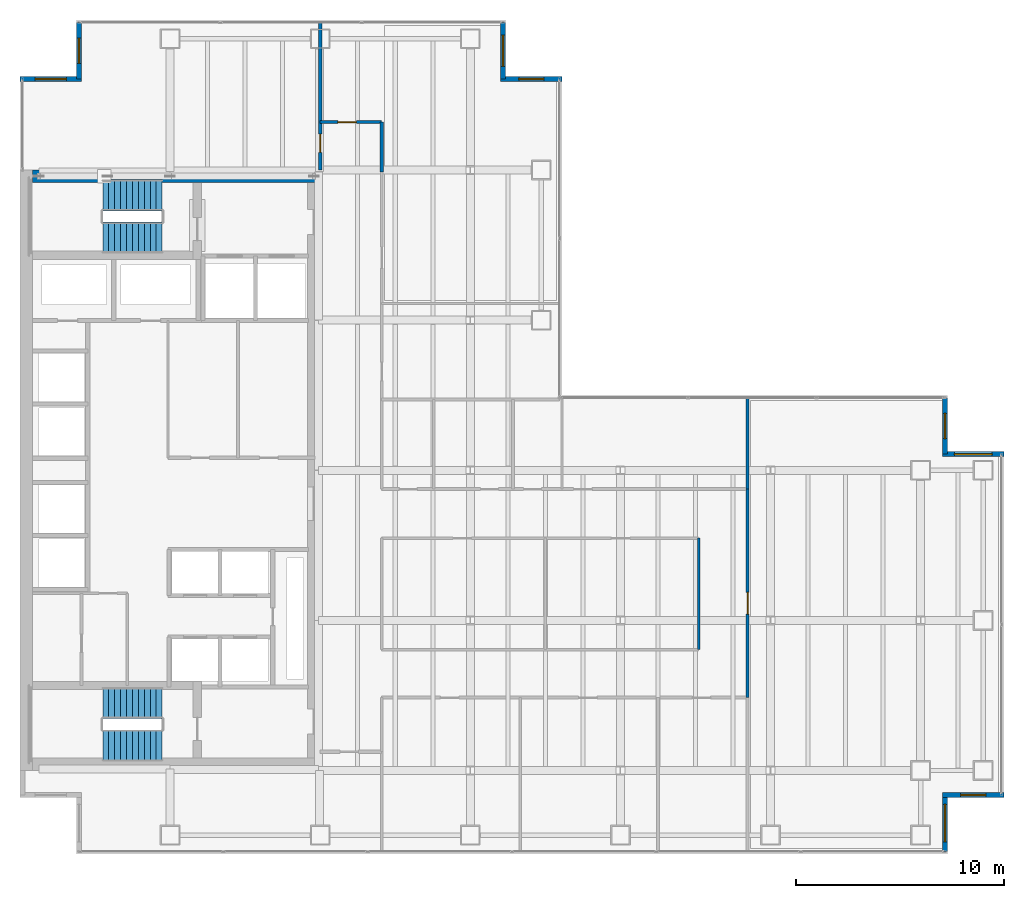
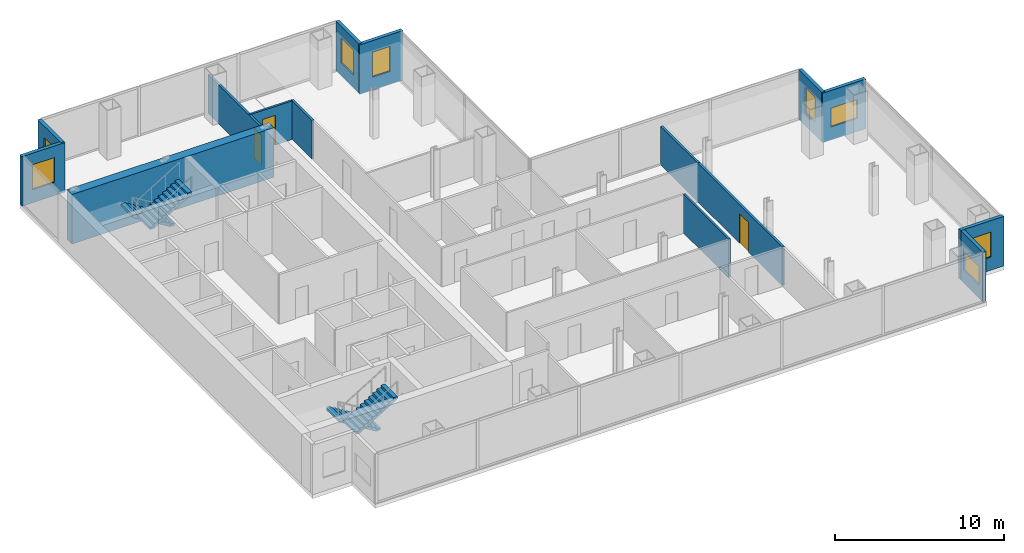
# One storey, part 22 of 24: 15 walls, 8 windows, 4 stair flights, 3 doors, 11 openings, 2 elements without a shape of their own.
"""IFC4 building model written with IfcOpenShell, lengths in metres."""

import ifcopenshell
import ifcopenshell.guid

model = None  # the IFC model being written
_history = None  # IfcOwnerHistory: only IFC2X3 demands one
_inside = {}  # id of a spatial element -> (the spatial element, [elements in it])
_under = {}  # id of a project, library or spatial element -> (it, [spatial elements below it])
_declared = {}  # id of a project -> (the project, [libraries it declares])
_typed = {}  # id of a type object -> (the type object, [elements of that type])
_made_of = {}  # id of a material, layer set ... -> (it, [elements and type objects made of it])


def new_model(schema):
    """Start an empty IFC model of exactly this schema.

    Asked for "IFC4X3", IfcOpenShell would pick the latest addendum, in which some entities
    have other attributes; the version numbers below select the first issue.
    IFC2X3 requires an IfcOwnerHistory on every rooted entity: one is made here for all.
    """
    global model, _history
    if schema == "IFC4X3":
        model = ifcopenshell.file(schema_version=(4, 3, 0, 0))
    else:
        model = ifcopenshell.file(schema=schema)
    _inside.clear()
    _under.clear()
    _declared.clear()
    _typed.clear()
    _made_of.clear()
    _history = None
    if model.schema == "IFC2X3":
        org = make("IfcOrganization", Name="unknown")
        user = make(
            "IfcPersonAndOrganization",
            ThePerson=make("IfcPerson", FamilyName="unknown"),
            TheOrganization=org,
        )
        app = make(
            "IfcApplication",
            ApplicationDeveloper=org,
            Version="unknown",
            ApplicationFullName="unknown",
            ApplicationIdentifier="unknown",
        )
        _history = make(
            "IfcOwnerHistory",
            OwningUser=user,
            OwningApplication=app,
            ChangeAction="ADDED",
            CreationDate=0,
        )
    return model


def make(cls, **values):
    """One entity of the class cls with the attributes given. An attribute that is None is left unset."""
    return model.create_entity(
        cls, **{name: value for name, value in values.items() if value is not None}
    )


def rooted(cls, **values):
    """An entity with a GlobalId (a new one), such as an element, a storey or a relation."""
    return make(cls, GlobalId=ifcopenshell.guid.new(), OwnerHistory=_history, **values)


def si_unit(unit_type, name, prefix=None):
    """IfcSIUnit, for example si_unit("LENGTHUNIT", "METRE", prefix="MILLI")."""
    return make("IfcSIUnit", UnitType=unit_type, Prefix=prefix, Name=name)


def assignment(units):
    """IfcUnitAssignment: the units of a project."""
    return None if units is None else make("IfcUnitAssignment", Units=units)


def point(xyz):
    """IfcCartesianPoint."""
    return None if xyz is None else make("IfcCartesianPoint", Coordinates=xyz)


def direction(xyz):
    """IfcDirection."""
    return None if xyz is None else make("IfcDirection", DirectionRatios=xyz)


def frame(location, z_axis=None, x_axis=None):
    """IfcAxis2Placement3D, a coordinate frame: its origin and axes. An axis left out is left unset."""
    return make(
        "IfcAxis2Placement3D",
        Location=point(location),
        Axis=direction(z_axis),
        RefDirection=direction(x_axis),
    )


def frame_2d(location, x_axis=None):
    """IfcAxis2Placement2D, a coordinate frame in the plane: its origin and x axis."""
    return make(
        "IfcAxis2Placement2D", Location=point(location), RefDirection=direction(x_axis)
    )


def origin():
    """The frame at (0, 0, 0) with its axes left unset."""
    return frame((0.0, 0.0, 0.0))


def place(relative_to, where):
    """IfcLocalPlacement: puts the frame where relative to a parent placement (None: the world)."""
    return make(
        "IfcLocalPlacement", PlacementRelTo=relative_to, RelativePlacement=where
    )


def context(
    kind, dimensions, precision=None, world=None, true_north=None, identifier=None
):
    """IfcGeometricRepresentationContext, for example the 3D "Model" context."""
    return make(
        "IfcGeometricRepresentationContext",
        ContextIdentifier=identifier,
        ContextType=kind,
        CoordinateSpaceDimension=dimensions,
        Precision=precision,
        WorldCoordinateSystem=world,
        TrueNorth=true_north,
    )


def subcontext(parent, identifier, kind, view, scale=None):
    """IfcGeometricRepresentationSubContext, for example "Body" below "Model"."""
    return make(
        "IfcGeometricRepresentationSubContext",
        ContextIdentifier=identifier,
        ContextType=kind,
        ParentContext=parent,
        TargetScale=scale,
        TargetView=view,
    )


def project(units=None, contexts=None):
    """IfcProject with its units and contexts."""
    return rooted(
        "IfcProject",
        Name="project",
        RepresentationContexts=contexts,
        UnitsInContext=assignment(units),
    )


def spatial(cls, under=None, at=None, **own):
    """A site, building, storey or space (cls), placed at a placement, below another one or the project."""
    s = rooted(cls, ObjectPlacement=at, **own)
    if under is not None:
        _under.setdefault(under.id(), (under, []))[1].append(s)
    return s


def polyline(points):
    """IfcPolyline through the points."""
    return make("IfcPolyline", Points=[point(p) for p in points])


def profile(cls, at=None, kind="AREA", **sizes):
    """A parametric profile (cls). Its sizes go by their IFC names, for example OverallWidth=200.0."""
    return make(cls, ProfileType=kind, Position=at, **sizes)


def rectangle(**sizes):
    """IfcRectangleProfileDef."""
    return profile("IfcRectangleProfileDef", **sizes)


def outline(outer, holes=None, kind="AREA"):
    """IfcArbitraryClosedProfileDef: a profile drawn as a closed curve; with holes, ...WithVoids."""
    if holes is None:
        return make("IfcArbitraryClosedProfileDef", ProfileType=kind, OuterCurve=outer)
    return make(
        "IfcArbitraryProfileDefWithVoids",
        ProfileType=kind,
        OuterCurve=outer,
        InnerCurves=holes,
    )


def extrude(swept, where, along, depth):
    """IfcExtrudedAreaSolid: the profile swept, set in the frame where, extruded along a direction by depth."""
    return make(
        "IfcExtrudedAreaSolid",
        SweptArea=swept,
        Position=where,
        ExtrudedDirection=direction(along),
        Depth=depth,
    )


def shape(context_of_items, identifier, shape_type, items):
    """IfcShapeRepresentation: the items that make up one representation, for example the "Body"."""
    return make(
        "IfcShapeRepresentation",
        ContextOfItems=context_of_items,
        RepresentationIdentifier=identifier,
        RepresentationType=shape_type,
        Items=items,
    )


def material(Name=None, Category=None):
    """IfcMaterial."""
    return make("IfcMaterial", Name=Name, Category=Category)


def layer(
    of_material, thickness, ventilated=None, Name=None, Category=None, Priority=None
):
    """IfcMaterialLayer: one layer of a wall or slab, of a material (None: an air gap)."""
    return make(
        "IfcMaterialLayer",
        Material=of_material,
        LayerThickness=thickness,
        IsVentilated=ventilated,
        Name=Name,
        Category=Category,
        Priority=Priority,
    )


def layer_set(layers, Name=None):
    """IfcMaterialLayerSet."""
    return make("IfcMaterialLayerSet", MaterialLayers=layers, LayerSetName=Name)


def made_of(thing, what):
    """Note that an element or type object is made of a material, layer set ...; save() writes the relation."""
    if what is not None:
        _made_of.setdefault(what.id(), (what, []))[1].append(thing)
    return thing


def type_object(cls, material=None, **own):
    """A type object (cls), such as IfcWallType, which elements share."""
    return made_of(rooted(cls, **own), material)


def element(
    cls,
    number,
    at=None,
    inside=None,
    cuts=None,
    type_object=None,
    material=None,
    context=None,
    identifier="Body",
    shape_type=None,
    held_by="IfcProductDefinitionShape",
    body=None,
    shapes=None,
    **own,
):
    """One element of the class cls, such as IfcWall. Its Tag is "e" and its number.

    at: its placement. inside: the storey or other place that contains it. cuts: it is an
    opening in that element (IfcRelVoidsElement). A single representation is given by context,
    identifier, shape_type and body (its items); several are given by shapes. held_by: the class
    of the entity that holds the representations. save() writes the other relations.
    """
    e = rooted(cls, Tag="e%d" % number, ObjectPlacement=at, **own)
    if body is not None:
        shapes = [shape(context, identifier, shape_type, body)]
    if shapes is not None:
        e.Representation = make(held_by, Representations=shapes)
    if inside is not None:
        _inside.setdefault(inside.id(), (inside, []))[1].append(e)
    if cuts is not None:
        rooted(
            "IfcRelVoidsElement", RelatingBuildingElement=cuts, RelatedOpeningElement=e
        )
    if type_object is not None:
        _typed.setdefault(type_object.id(), (type_object, []))[1].append(e)
    return made_of(e, material)


def fill(opening, filler):
    """IfcRelFillsElement: the door or window that sits in an opening."""
    return rooted(
        "IfcRelFillsElement",
        RelatingOpeningElement=opening,
        RelatedBuildingElement=filler,
    )


def aggregate(whole, parts):
    """IfcRelAggregates: a whole, such as a stair, and the parts it consists of."""
    return rooted("IfcRelAggregates", RelatingObject=whole, RelatedObjects=parts)


def save(model, path):
    """Write the relations noted so far, then the file.

    IfcRelAggregates (storeys below a building ...), IfcRelContainedInSpatialStructure (elements
    in a storey), IfcRelDefinesByType, IfcRelAssociatesMaterial and IfcRelDeclares: one each for
    every whole, place, type object, material and project.
    """
    for whole, parts in _under.values():
        aggregate(whole, parts)
    for where, things in _inside.values():
        rooted(
            "IfcRelContainedInSpatialStructure",
            RelatedElements=things,
            RelatingStructure=where,
        )
    for kind, things in _typed.values():
        rooted("IfcRelDefinesByType", RelatedObjects=things, RelatingType=kind)
    for what, things in _made_of.values():
        rooted("IfcRelAssociatesMaterial", RelatedObjects=things, RelatingMaterial=what)
    for by, libraries in _declared.values():
        rooted("IfcRelDeclares", RelatingContext=by, RelatedDefinitions=libraries)
    model.write(path)


model = new_model("IFC4")

# Units and contexts
model_context = context("Model", 3, precision=1e-05, world=origin(), true_north=direction((0.0, 1.0)))
body_context = subcontext(model_context, "Body", "Model", "MODEL_VIEW")
ifc_project = project(units=[si_unit("LENGTHUNIT", "METRE"), si_unit("AREAUNIT", "SQUARE_METRE"), si_unit("VOLUMEUNIT", "CUBIC_METRE"), si_unit("PLANEANGLEUNIT", "RADIAN"), si_unit("MASSUNIT", "GRAM", prefix="KILO")], contexts=[model_context])

# Site, building, storey
site_placement = place(None, origin())
site = spatial("IfcSite", under=ifc_project, at=site_placement, CompositionType="ELEMENT")
building_placement = place(site_placement, origin())
building = spatial("IfcBuilding", under=site, at=building_placement, Name="Cobrela Telecom Tower", CompositionType="ELEMENT")
storey_placement = place(building_placement, frame((0.0, 0.0, 106.050048828125)))
storey = spatial("IfcBuildingStorey", under=building, at=storey_placement, Name="L26", CompositionType="ELEMENT", Elevation=106.050048828125)

# Wall
ifc_material_1 = material(Name="Concrete C50/60", Category="concrete")
ifc_layer_1 = layer(ifc_material_1, 0.60009765625)
ifc_layer_set_1 = layer_set([ifc_layer_1], Name="Concrete C50/60")
wall_type_1 = type_object("IfcWallType", Name="WALL-CORE-C50-600", PredefinedType="SHEAR", material=ifc_layer_set_1)
wall_1_placement = place(storey_placement, frame((0.60009765625, 35.699951171875, 0.0), z_axis=(0.0, 0.0, 1.0), x_axis=(1.0, 0.0, 0.0)))
element("IfcWall", 1, at=wall_1_placement, inside=storey, type_object=wall_type_1, Name="L26 North Core Shear Wall", PredefinedType="SHEAR", context=body_context, shape_type="SweptSolid", body=[
    extrude(rectangle(XDim=13.7998046875, YDim=0.60009765625, at=frame_2d((6.89990234375, 0.0))), origin(), (0.0, 0.0, 1.0), 3.579833984375),
])

# Wall, opening, window
ifc_material_2 = material(Name="Concrete C40/50", Category="concrete")
ifc_layer_2 = layer(ifc_material_2, 0.239990234375)
ifc_layer_set_2 = layer_set([ifc_layer_2], Name="Concrete C40/50")
wall_type_2 = type_object("IfcWallType", Name="WALL-EXT-300", PredefinedType="STANDARD", material=ifc_layer_set_2)
wall_2_placement = place(storey_placement, frame((0.0, 40.3701171875, 0.0), z_axis=(0.0, 0.0, 1.0), x_axis=(1.0, 0.0, 0.0)))
wall_2 = element("IfcWall", 2, at=wall_2_placement, inside=storey, type_object=wall_type_2, Name="L26 Insulated Facade Wall 05", PredefinedType="STANDARD", context=body_context, shape_type="SweptSolid", body=[
    extrude(rectangle(XDim=2.949951171875, YDim=0.239990234375, at=frame_2d((1.47509765625, 0.0))), origin(), (0.0, 0.0, 1.0), 3.579833984375),
])
opening_1_placement = place(wall_2_placement, frame((0.72509765625, 0.0, 0.949951171875)))
opening_1 = element("IfcOpeningElement", 3, at=opening_1_placement, cuts=wall_2, Name="Opening WN-45", PredefinedType="OPENING", context=body_context, shape_type="SweptSolid", body=[
    extrude(rectangle(XDim=1.5, YDim=1.800048828125, at=frame_2d((0.75, 0.89990234375))), frame((0.0, 0.1318359375, 0.0), z_axis=(0.0, -1.0, 0.0), x_axis=(1.0, 0.0, 0.0)), (0.0, 0.0, 1.0), 0.263916015625),
])
ifc_material_3 = material(Name="Solar-Control Bronze Low-E Glass", Category="glass")
window_type_1 = type_object("IfcWindowType", Name="WIN-MOD-1500", PartitioningType="SINGLE_PANEL", PredefinedType="WINDOW", material=ifc_material_3)
window_1_placement = place(opening_1_placement, origin())
window_1 = element("IfcWindow", 4, at=window_1_placement, inside=storey, type_object=window_type_1, Name="L26 Corner Notch Facade Window 122", OverallHeight=1.800048828125, OverallWidth=1.5, PartitioningType="SINGLE_PANEL", PredefinedType="WINDOW", context=body_context, shape_type="SweptSolid", body=[
    extrude(rectangle(XDim=1.5, YDim=1.800048828125, at=frame_2d((0.75, 0.89990234375))), frame((0.0, 0.030029296875, 0.0), z_axis=(0.0, -1.0, 0.0), x_axis=(1.0, 0.0, 0.0)), (0.0, 0.0, 1.0), 0.06005859375),
])
fill(opening_1, window_1)

wall_3_placement = place(storey_placement, frame((2.830078125, 40.3701171875, 0.0), z_axis=(0.0, 0.0, 1.0), x_axis=(0.0, 1.0, 0.0)))
wall_3 = element("IfcWall", 5, at=wall_3_placement, inside=storey, type_object=wall_type_2, Name="L26 Insulated Facade Wall 06", PredefinedType="STANDARD", context=body_context, shape_type="SweptSolid", body=[
    extrude(rectangle(XDim=2.7099609375, YDim=0.239990234375, at=frame_2d((1.35498046875, 0.0))), origin(), (0.0, 0.0, 1.0), 3.579833984375),
])
opening_2_placement = place(wall_3_placement, frame((0.7548828125, 0.0, 0.949951171875)))
opening_2 = element("IfcOpeningElement", 6, at=opening_2_placement, cuts=wall_3, Name="Opening WN-19", PredefinedType="OPENING", context=body_context, shape_type="SweptSolid", body=[
    extrude(rectangle(XDim=1.199951171875, YDim=1.800048828125, at=frame_2d((0.60009765625, 0.89990234375))), frame((0.0, 0.1318359375, 0.0), z_axis=(0.0, -1.0, 0.0), x_axis=(1.0, 0.0, 0.0)), (0.0, 0.0, 1.0), 0.263916015625),
])
window_type_2 = type_object("IfcWindowType", Name="WIN-MOD-1200", PartitioningType="SINGLE_PANEL", PredefinedType="WINDOW", material=ifc_material_3)
window_2_placement = place(opening_2_placement, origin())
window_2 = element("IfcWindow", 7, at=window_2_placement, inside=storey, type_object=window_type_2, Name="L26 Corner Notch Facade Window 123", OverallHeight=1.800048828125, OverallWidth=1.199951171875, PartitioningType="SINGLE_PANEL", PredefinedType="WINDOW", context=body_context, shape_type="SweptSolid", body=[
    extrude(rectangle(XDim=1.199951171875, YDim=1.800048828125, at=frame_2d((0.60009765625, 0.89990234375))), frame((0.0, 0.030029296875, 0.0), z_axis=(0.0, -1.0, 0.0), x_axis=(1.0, 0.0, 0.0)), (0.0, 0.0, 1.0), 0.06005859375),
])
fill(opening_2, window_2)

wall_4_placement = place(storey_placement, frame((23.169921875, 43.080078125, 0.0), z_axis=(0.0, 0.0, 1.0), x_axis=(0.0, -1.0, 0.0)))
wall_4 = element("IfcWall", 8, at=wall_4_placement, inside=storey, type_object=wall_type_2, Name="L26 Insulated Facade Wall 08", PredefinedType="STANDARD", context=body_context, shape_type="SweptSolid", body=[
    extrude(rectangle(XDim=2.7099609375, YDim=0.239990234375, at=frame_2d((1.35498046875, 0.0))), origin(), (0.0, 0.0, 1.0), 3.579833984375),
])
opening_3_placement = place(wall_4_placement, frame((0.60498046875, 0.0, 0.949951171875)))
opening_3 = element("IfcOpeningElement", 9, at=opening_3_placement, cuts=wall_4, Name="Opening WN-45", PredefinedType="OPENING", context=body_context, shape_type="SweptSolid", body=[
    extrude(rectangle(XDim=1.5, YDim=1.800048828125, at=frame_2d((0.75, 0.89990234375))), frame((0.0, 0.1318359375, 0.0), z_axis=(0.0, -1.0, 0.0), x_axis=(1.0, 0.0, 0.0)), (0.0, 0.0, 1.0), 0.263916015625),
])
window_3_placement = place(opening_3_placement, origin())
window_3 = element("IfcWindow", 10, at=window_3_placement, inside=storey, type_object=window_type_1, Name="L26 Corner Notch Facade Window 124", OverallHeight=1.800048828125, OverallWidth=1.5, PartitioningType="SINGLE_PANEL", PredefinedType="WINDOW", context=body_context, shape_type="SweptSolid", body=[
    extrude(rectangle(XDim=1.5, YDim=1.800048828125, at=frame_2d((0.75, 0.89990234375))), frame((0.0, 0.030029296875, 0.0), z_axis=(0.0, -1.0, 0.0), x_axis=(1.0, 0.0, 0.0)), (0.0, 0.0, 1.0), 0.06005859375),
])
fill(opening_3, window_3)

wall_5_placement = place(storey_placement, frame((23.050048828125, 40.3701171875, 0.0), z_axis=(0.0, 0.0, 1.0), x_axis=(1.0, 0.0, 0.0)))
wall_5 = element("IfcWall", 11, at=wall_5_placement, inside=storey, type_object=wall_type_2, Name="L26 Insulated Facade Wall 09", PredefinedType="STANDARD", context=body_context, shape_type="SweptSolid", body=[
    extrude(rectangle(XDim=2.949951171875, YDim=0.239990234375, at=frame_2d((1.47509765625, 0.0))), origin(), (0.0, 0.0, 1.0), 3.579833984375),
])
opening_4_placement = place(wall_5_placement, frame((0.875, 0.0, 0.949951171875)))
opening_4 = element("IfcOpeningElement", 12, at=opening_4_placement, cuts=wall_5, Name="Opening WN-19", PredefinedType="OPENING", context=body_context, shape_type="SweptSolid", body=[
    extrude(rectangle(XDim=1.199951171875, YDim=1.800048828125, at=frame_2d((0.60009765625, 0.89990234375))), frame((0.0, 0.1318359375, 0.0), z_axis=(0.0, -1.0, 0.0), x_axis=(1.0, 0.0, 0.0)), (0.0, 0.0, 1.0), 0.263916015625),
])
window_4_placement = place(opening_4_placement, origin())
window_4 = element("IfcWindow", 13, at=window_4_placement, inside=storey, type_object=window_type_2, Name="L26 Corner Notch Facade Window 125", OverallHeight=1.800048828125, OverallWidth=1.199951171875, PartitioningType="SINGLE_PANEL", PredefinedType="WINDOW", context=body_context, shape_type="SweptSolid", body=[
    extrude(rectangle(XDim=1.199951171875, YDim=1.800048828125, at=frame_2d((0.60009765625, 0.89990234375))), frame((0.0, 0.030029296875, 0.0), z_axis=(0.0, -1.0, 0.0), x_axis=(1.0, 0.0, 0.0)), (0.0, 0.0, 1.0), 0.06005859375),
])
fill(opening_4, window_4)

wall_6_placement = place(storey_placement, frame((44.3701171875, 25.080078125, 0.0), z_axis=(0.0, 0.0, 1.0), x_axis=(0.0, -1.0, 0.0)))
wall_6 = element("IfcWall", 14, at=wall_6_placement, inside=storey, type_object=wall_type_2, Name="L26 Insulated Facade Wall 12", PredefinedType="STANDARD", context=body_context, shape_type="SweptSolid", body=[
    extrude(rectangle(XDim=2.7099609375, YDim=0.239990234375, at=frame_2d((1.35498046875, 0.0))), origin(), (0.0, 0.0, 1.0), 3.579833984375),
])
opening_5_placement = place(wall_6_placement, frame((0.7548828125, 0.0, 0.949951171875)))
opening_5 = element("IfcOpeningElement", 15, at=opening_5_placement, cuts=wall_6, Name="Opening WN-19", PredefinedType="OPENING", context=body_context, shape_type="SweptSolid", body=[
    extrude(rectangle(XDim=1.199951171875, YDim=1.800048828125, at=frame_2d((0.60009765625, 0.89990234375))), frame((0.0, 0.1318359375, 0.0), z_axis=(0.0, -1.0, 0.0), x_axis=(1.0, 0.0, 0.0)), (0.0, 0.0, 1.0), 0.263916015625),
])
window_5_placement = place(opening_5_placement, origin())
window_5 = element("IfcWindow", 16, at=window_5_placement, inside=storey, type_object=window_type_2, Name="L26 Corner Notch Facade Window 126", OverallHeight=1.800048828125, OverallWidth=1.199951171875, PartitioningType="SINGLE_PANEL", PredefinedType="WINDOW", context=body_context, shape_type="SweptSolid", body=[
    extrude(rectangle(XDim=1.199951171875, YDim=1.800048828125, at=frame_2d((0.60009765625, 0.89990234375))), frame((0.0, 0.030029296875, 0.0), z_axis=(0.0, -1.0, 0.0), x_axis=(1.0, 0.0, 0.0)), (0.0, 0.0, 1.0), 0.06005859375),
])
fill(opening_5, window_5)

wall_7_placement = place(storey_placement, frame((44.25, 22.3701171875, 0.0), z_axis=(0.0, 0.0, 1.0), x_axis=(1.0, 0.0, 0.0)))
wall_7 = element("IfcWall", 17, at=wall_7_placement, inside=storey, type_object=wall_type_2, Name="L26 Insulated Facade Wall 13", PredefinedType="STANDARD", context=body_context, shape_type="SweptSolid", body=[
    extrude(rectangle(XDim=2.949951171875, YDim=0.239990234375, at=frame_2d((1.47509765625, 0.0))), origin(), (0.0, 0.0, 1.0), 3.579833984375),
])
opening_6_placement = place(wall_7_placement, frame((0.574951171875, 0.0, 0.949951171875)))
opening_6 = element("IfcOpeningElement", 18, at=opening_6_placement, cuts=wall_7, Name="Opening WN-27", PredefinedType="OPENING", context=body_context, shape_type="SweptSolid", body=[
    extrude(rectangle(XDim=1.800048828125, YDim=1.35009765625, at=frame_2d((0.89990234375, 0.675048828125))), frame((0.0, 0.1318359375, 0.0), z_axis=(0.0, -1.0, 0.0), x_axis=(1.0, 0.0, 0.0)), (0.0, 0.0, 1.0), 0.263916015625),
])
window_type_3 = type_object("IfcWindowType", Name="WIN-CLER-1800", PartitioningType="SINGLE_PANEL", PredefinedType="WINDOW", material=ifc_material_3)
window_6_placement = place(opening_6_placement, origin())
window_6 = element("IfcWindow", 19, at=window_6_placement, inside=storey, type_object=window_type_3, Name="L26 Corner Notch Facade Window 127", OverallHeight=1.35009765625, OverallWidth=1.800048828125, PartitioningType="SINGLE_PANEL", PredefinedType="WINDOW", context=body_context, shape_type="SweptSolid", body=[
    extrude(rectangle(XDim=1.800048828125, YDim=1.35009765625, at=frame_2d((0.89990234375, 0.675048828125))), frame((0.0, 0.030029296875, 0.0), z_axis=(0.0, -1.0, 0.0), x_axis=(1.0, 0.0, 0.0)), (0.0, 0.0, 1.0), 0.06005859375),
])
fill(opening_6, window_6)

wall_8_placement = place(storey_placement, frame((47.199951171875, 6.030029296875, 0.0), z_axis=(0.0, 0.0, 1.0), x_axis=(-1.0, 0.0, 0.0)))
wall_8 = element("IfcWall", 20, at=wall_8_placement, inside=storey, type_object=wall_type_2, Name="L26 Insulated Facade Wall 15", PredefinedType="STANDARD", context=body_context, shape_type="SweptSolid", body=[
    extrude(rectangle(XDim=2.949951171875, YDim=0.239990234375, at=frame_2d((1.47509765625, 0.0))), origin(), (0.0, 0.0, 1.0), 3.579833984375),
])
opening_7_placement = place(wall_8_placement, frame((0.875, 0.0, 0.949951171875)))
opening_7 = element("IfcOpeningElement", 21, at=opening_7_placement, cuts=wall_8, Name="Opening WN-19", PredefinedType="OPENING", context=body_context, shape_type="SweptSolid", body=[
    extrude(rectangle(XDim=1.199951171875, YDim=1.800048828125, at=frame_2d((0.60009765625, 0.89990234375))), frame((0.0, 0.1318359375, 0.0), z_axis=(0.0, -1.0, 0.0), x_axis=(1.0, 0.0, 0.0)), (0.0, 0.0, 1.0), 0.263916015625),
])
window_7_placement = place(opening_7_placement, origin())
window_7 = element("IfcWindow", 22, at=window_7_placement, inside=storey, type_object=window_type_2, Name="L26 Corner Notch Facade Window 128", OverallHeight=1.800048828125, OverallWidth=1.199951171875, PartitioningType="SINGLE_PANEL", PredefinedType="WINDOW", context=body_context, shape_type="SweptSolid", body=[
    extrude(rectangle(XDim=1.199951171875, YDim=1.800048828125, at=frame_2d((0.60009765625, 0.89990234375))), frame((0.0, 0.030029296875, 0.0), z_axis=(0.0, -1.0, 0.0), x_axis=(1.0, 0.0, 0.0)), (0.0, 0.0, 1.0), 0.06005859375),
])
fill(opening_7, window_7)

wall_9_placement = place(storey_placement, frame((44.3701171875, 6.030029296875, 0.0), z_axis=(0.0, 0.0, 1.0), x_axis=(0.0, -1.0, 0.0)))
wall_9 = element("IfcWall", 23, at=wall_9_placement, inside=storey, type_object=wall_type_2, Name="L26 Insulated Facade Wall 16", PredefinedType="STANDARD", context=body_context, shape_type="SweptSolid", body=[
    extrude(rectangle(XDim=2.7099609375, YDim=0.239990234375, at=frame_2d((1.35498046875, 0.0))), origin(), (0.0, 0.0, 1.0), 3.579833984375),
])
opening_8_placement = place(wall_9_placement, frame((0.455078125, 0.0, 0.949951171875)))
opening_8 = element("IfcOpeningElement", 24, at=opening_8_placement, cuts=wall_9, Name="Opening WN-27", PredefinedType="OPENING", context=body_context, shape_type="SweptSolid", body=[
    extrude(rectangle(XDim=1.800048828125, YDim=1.35009765625, at=frame_2d((0.89990234375, 0.675048828125))), frame((0.0, 0.1318359375, 0.0), z_axis=(0.0, -1.0, 0.0), x_axis=(1.0, 0.0, 0.0)), (0.0, 0.0, 1.0), 0.263916015625),
])
window_8_placement = place(opening_8_placement, origin())
window_8 = element("IfcWindow", 25, at=window_8_placement, inside=storey, type_object=window_type_3, Name="L26 Corner Notch Facade Window 129", OverallHeight=1.35009765625, OverallWidth=1.800048828125, PartitioningType="SINGLE_PANEL", PredefinedType="WINDOW", context=body_context, shape_type="SweptSolid", body=[
    extrude(rectangle(XDim=1.800048828125, YDim=1.35009765625, at=frame_2d((0.89990234375, 0.675048828125))), frame((0.0, 0.030029296875, 0.0), z_axis=(0.0, -1.0, 0.0), x_axis=(1.0, 0.0, 0.0)), (0.0, 0.0, 1.0), 0.06005859375),
])
fill(opening_8, window_8)

# Wall
ifc_material_4 = material(Name="Fire-Rated Gypsum Plasterboard")
ifc_layer_3 = layer(ifc_material_4, 0.125)
ifc_layer_set_3 = layer_set([ifc_layer_3], Name="Fire-Rated Gypsum Plasterboard")
wall_type_3 = type_object("IfcWallType", Name="WALL-PART-125", PredefinedType="PARTITIONING", material=ifc_layer_set_3)
wall_10_placement = place(storey_placement, frame((32.550048828125, 13.0, 0.0), z_axis=(0.0, 0.0, 1.0), x_axis=(0.0, 1.0, 0.0)))
element("IfcWall", 26, at=wall_10_placement, inside=storey, type_object=wall_type_3, Name="L26 Interior Partition W-ISL-E", PredefinedType="PARTITIONING", context=body_context, shape_type="SweptSolid", body=[
    extrude(rectangle(XDim=5.35009765625, YDim=0.125, at=frame_2d((2.675048828125, 0.0))), origin(), (0.0, 0.0, 1.0), 2.79296875),
])

# Wall, opening, door
ifc_layer_4 = layer(ifc_material_4, 0.135009765625)
ifc_layer_set_4 = layer_set([ifc_layer_4], Name="Fire-Rated Gypsum Plasterboard")
wall_type_4 = type_object("IfcWallType", Name="WALL-PART-135", PredefinedType="PARTITIONING", material=ifc_layer_set_4)
wall_11_placement = place(storey_placement, frame((14.39990234375, 38.300048828125, 0.0), z_axis=(0.0, 0.0, 1.0), x_axis=(1.0, 0.0, 0.0)))
wall_11 = element("IfcWall", 27, at=wall_11_placement, inside=storey, type_object=wall_type_4, Name="L26 Interior Partition W-UWN-T", PredefinedType="PARTITIONING", context=body_context, shape_type="SweptSolid", body=[
    extrude(rectangle(XDim=2.9501953125, YDim=0.135009765625, at=frame_2d((1.47509765625, 0.0))), origin(), (0.0, 0.0, 1.0), 2.79296875),
])
opening_9_placement = place(wall_11_placement, frame((0.85009765625, 0.0, 0.0)))
opening_9 = element("IfcOpeningElement", 28, at=opening_9_placement, cuts=wall_11, Name="Opening DR-39", PredefinedType="OPENING", context=body_context, shape_type="SweptSolid", body=[
    extrude(rectangle(XDim=0.8798828125, YDim=2.14990234375, at=frame_2d((0.43994140625, 1.074951171875))), frame((0.0, 0.07958984375, 0.0), z_axis=(0.0, -1.0, 0.0), x_axis=(1.0, 0.0, 0.0)), (0.0, 0.0, 1.0), 0.158935546875),
])
ifc_material_5 = material(Name="Solid Engineered Oak Timber", Category="wood")
door_type_1 = type_object("IfcDoorType", Name="DOOR-INT-880", OperationType="SINGLE_SWING_LEFT", PredefinedType="DOOR", material=ifc_material_5)
door_1_placement = place(opening_9_placement, origin())
door_1 = element("IfcDoor", 29, at=door_1_placement, inside=storey, type_object=door_type_1, Name="L26 Door DR-39", OperationType="SINGLE_SWING_RIGHT", OverallHeight=2.14990234375, OverallWidth=0.8798828125, PredefinedType="DOOR", context=body_context, shape_type="SweptSolid", body=[
    extrude(rectangle(XDim=0.8798828125, YDim=2.14990234375, at=frame_2d((0.43994140625, 1.074951171875))), frame((0.0, 0.02490234375, 0.0), z_axis=(0.0, -1.0, 0.0), x_axis=(1.0, 0.0, 0.0)), (0.0, 0.0, 1.0), 0.050048828125),
])
fill(opening_9, door_1)

ifc_layer_5 = layer(ifc_material_4, 0.14990234375)
ifc_layer_set_5 = layer_set([ifc_layer_5], Name="Fire-Rated Gypsum Plasterboard")
wall_type_5 = type_object("IfcWallType", Name="WALL-PART-150", PredefinedType="PARTITIONING", material=ifc_layer_set_5)
wall_12_placement = place(storey_placement, frame((34.89990234375, 10.699951171875, 0.0), z_axis=(0.0, 0.0, 1.0), x_axis=(0.0, 1.0, 0.0)))
wall_12 = element("IfcWall", 30, at=wall_12_placement, inside=storey, type_object=wall_type_5, Name="L26 Interior Partition W-UE-E", PredefinedType="PARTITIONING", context=body_context, shape_type="SweptSolid", body=[
    extrude(rectangle(XDim=10.0, YDim=0.14990234375, at=frame_2d((5.0, 0.0))), origin(), (0.0, 0.0, 1.0), 2.79296875),
])
opening_10_placement = place(wall_12_placement, frame((4.0, 0.0, 0.0)))
opening_10 = element("IfcOpeningElement", 31, at=opening_10_placement, cuts=wall_12, Name="Opening DR-29", PredefinedType="OPENING", context=body_context, shape_type="SweptSolid", body=[
    extrude(rectangle(XDim=1.050048828125, YDim=2.14990234375, at=frame_2d((0.52490234375, 1.074951171875))), frame((0.0, 0.0869140625, 0.0), z_axis=(0.0, -1.0, 0.0), x_axis=(1.0, 0.0, 0.0)), (0.0, 0.0, 1.0), 0.173828125),
])
door_type_2 = type_object("IfcDoorType", Name="DOOR-INT-1050", OperationType="SINGLE_SWING_LEFT", PredefinedType="DOOR", material=ifc_material_5)
door_2_placement = place(opening_10_placement, origin())
door_2 = element("IfcDoor", 32, at=door_2_placement, inside=storey, type_object=door_type_2, Name="L26 Door DR-29", OperationType="SINGLE_SWING_LEFT", OverallHeight=2.14990234375, OverallWidth=1.050048828125, PredefinedType="DOOR", context=body_context, shape_type="SweptSolid", body=[
    extrude(rectangle(XDim=1.050048828125, YDim=2.14990234375, at=frame_2d((0.52490234375, 1.074951171875))), frame((0.0, 0.02490234375, 0.0), z_axis=(0.0, -1.0, 0.0), x_axis=(1.0, 0.0, 0.0)), (0.0, 0.0, 1.0), 0.050048828125),
])
fill(opening_10, door_2)

# Walls
wall_13_placement = place(storey_placement, frame((17.35009765625, 35.89990234375, 0.0), z_axis=(0.0, 0.0, 1.0), x_axis=(0.0, 1.0, 0.0)))
element("IfcWall", 33, at=wall_13_placement, inside=storey, type_object=wall_type_5, Name="L26 Interior Partition W-UWN-E", PredefinedType="PARTITIONING", context=body_context, shape_type="SweptSolid", body=[
    extrude(rectangle(XDim=2.400146484375, YDim=0.14990234375, at=frame_2d((1.2001953125, 0.0))), origin(), (0.0, 0.0, 1.0), 2.79296875),
])
wall_14_placement = place(storey_placement, frame((34.89990234375, 20.699951171875, 0.0), z_axis=(0.0, 0.0, 1.0), x_axis=(0.0, 1.0, 0.0)))
element("IfcWall", 34, at=wall_14_placement, inside=storey, type_object=wall_type_5, Name="L26 Interior Partition W-UFE-N", PredefinedType="PARTITIONING", context=body_context, shape_type="SweptSolid", body=[
    extrude(rectangle(XDim=4.380126953125, YDim=0.14990234375, at=frame_2d((2.18994140625, 0.0))), origin(), (0.0, 0.0, 1.0), 2.79296875),
])

# Wall, opening, door
ifc_layer_6 = layer(ifc_material_4, 0.159912109375)
ifc_layer_set_6 = layer_set([ifc_layer_6], Name="Fire-Rated Gypsum Plasterboard")
wall_type_6 = type_object("IfcWallType", Name="WALL-PART-160", PredefinedType="PARTITIONING", material=ifc_layer_set_6)
wall_15_placement = place(storey_placement, frame((14.39990234375, 36.0, 0.0), z_axis=(0.0, 0.0, 1.0), x_axis=(0.0, 1.0, 0.0)))
wall_15 = element("IfcWall", 35, at=wall_15_placement, inside=storey, type_object=wall_type_6, Name="L26 Interior Partition W-UWN-W", PredefinedType="PARTITIONING", context=body_context, shape_type="SweptSolid", body=[
    extrude(rectangle(XDim=7.080078125, YDim=0.159912109375, at=frame_2d((3.5400390625, 0.0))), origin(), (0.0, 0.0, 1.0), 2.79296875),
])
opening_11_placement = place(wall_15_placement, frame((0.85009765625, 0.0, 0.0)))
opening_11 = element("IfcOpeningElement", 36, at=opening_11_placement, cuts=wall_15, Name="Opening DR-39", PredefinedType="OPENING", context=body_context, shape_type="SweptSolid", body=[
    extrude(rectangle(XDim=0.8798828125, YDim=2.14990234375, at=frame_2d((0.43994140625, 1.074951171875))), frame((0.0, 0.091796875, 0.0), z_axis=(0.0, -1.0, 0.0), x_axis=(1.0, 0.0, 0.0)), (0.0, 0.0, 1.0), 0.183837890625),
])
door_3_placement = place(opening_11_placement, origin())
door_3 = element("IfcDoor", 37, at=door_3_placement, inside=storey, type_object=door_type_1, Name="L26 Door DR-39", OperationType="SINGLE_SWING_LEFT", OverallHeight=2.14990234375, OverallWidth=0.8798828125, PredefinedType="DOOR", context=body_context, shape_type="SweptSolid", body=[
    extrude(rectangle(XDim=0.8798828125, YDim=2.14990234375, at=frame_2d((0.43994140625, 1.074951171875))), frame((0.0, 0.02490234375, 0.0), z_axis=(0.0, -1.0, 0.0), x_axis=(1.0, 0.0, 0.0)), (0.0, 0.0, 1.0), 0.050048828125),
])
fill(opening_11, door_3)

# Stair, stair flights
stair_type = type_object("IfcStairType", Name="STAIR-CORE", PredefinedType="HALF_TURN_STAIR", material=ifc_material_2)
stair_1_placement = place(storey_placement, origin())
stair_1 = element("IfcStair", 38, at=stair_1_placement, inside=storey, type_object=stair_type, Name="L26 Smokeproof Exit Stair ST1", PredefinedType="HALF_TURN_STAIR")
stair_flight_type = type_object("IfcStairFlightType", Name="FLIGHT-CORE", PredefinedType="STRAIGHT", material=ifc_material_2)
stair_flight_1_placement = place(storey_placement, frame((6.820068359375, 34.800048828125, 0.0), z_axis=(0.0, 0.0, 1.0), x_axis=(-1.0, 0.0, 0.0)))
stair_flight_1 = element("IfcStairFlight", 39, at=stair_flight_1_placement, type_object=stair_flight_type, Name="ST1 flight 1", NumberOfRisers=11, NumberOfTreads=10, PredefinedType="STRAIGHT", RiserHeight=0.175, TreadLength=0.285, context=body_context, shape_type="SweptSolid", body=[
    extrude(outline(polyline([(0.0, 0.0), (0.0, 0.175048828125), (0.284912109375, 0.175048828125), (0.284912109375, 0.35009765625), (0.570068359375, 0.35009765625), (0.570068359375, 0.52490234375), (0.85498046875, 0.52490234375), (0.85498046875, 0.699951171875), (1.139892578125, 0.699951171875), (1.139892578125, 0.875), (1.425048828125, 0.875), (1.425048828125, 1.050048828125), (1.7099609375, 1.050048828125), (1.7099609375, 1.22509765625), (1.9951171875, 1.22509765625), (1.9951171875, 1.39990234375), (2.280029296875, 1.39990234375), (2.280029296875, 1.574951171875), (2.56494140625, 1.574951171875), (2.56494140625, 1.75), (2.85009765625, 1.75), (2.85009765625, 1.925048828125), (2.85009765625, 1.573974609375), (0.286376953125, 0.0), (0.0, 0.0)])), frame((0.0, 0.75, 0.0), z_axis=(0.0, -1.0, 0.0), x_axis=(1.0, 0.0, 0.0)), (0.0, 0.0, 1.0), 1.5),
])
stair_flight_2_placement = place(storey_placement, frame((3.969970703125, 32.75, 1.925048828125), z_axis=(0.0, 0.0, 1.0), x_axis=(1.0, 0.0, 0.0)))
stair_flight_2 = element("IfcStairFlight", 40, at=stair_flight_2_placement, type_object=stair_flight_type, Name="ST1 flight 2", NumberOfRisers=11, NumberOfTreads=10, PredefinedType="STRAIGHT", RiserHeight=0.175, TreadLength=0.285, context=body_context, shape_type="SweptSolid", body=[
    extrude(outline(polyline([(0.0, 0.0), (0.0, 0.175048828125), (0.284912109375, 0.175048828125), (0.284912109375, 0.35009765625), (0.570068359375, 0.35009765625), (0.570068359375, 0.52490234375), (0.85498046875, 0.52490234375), (0.85498046875, 0.699951171875), (1.139892578125, 0.699951171875), (1.139892578125, 0.875), (1.425048828125, 0.875), (1.425048828125, 1.050048828125), (1.7099609375, 1.050048828125), (1.7099609375, 1.22509765625), (1.9951171875, 1.22509765625), (1.9951171875, 1.39990234375), (2.280029296875, 1.39990234375), (2.280029296875, 1.574951171875), (2.56494140625, 1.574951171875), (2.56494140625, 1.75), (2.85009765625, 1.75), (2.85009765625, 1.925048828125), (2.85009765625, 1.573974609375), (0.286376953125, 0.0), (0.0, 0.0)])), frame((0.0, 0.75, 0.0), z_axis=(0.0, -1.0, 0.0), x_axis=(1.0, 0.0, 0.0)), (0.0, 0.0, 1.0), 1.5),
])
aggregate(stair_1, [stair_flight_1, stair_flight_2])

stair_2_placement = place(storey_placement, origin())
stair_2 = element("IfcStair", 41, at=stair_2_placement, inside=storey, type_object=stair_type, Name="L26 Smokeproof Exit Stair ST2", PredefinedType="HALF_TURN_STAIR")
stair_flight_3_placement = place(storey_placement, frame((6.820068359375, 10.449951171875, 0.0), z_axis=(0.0, 0.0, 1.0), x_axis=(-1.0, 0.0, 0.0)))
stair_flight_3 = element("IfcStairFlight", 42, at=stair_flight_3_placement, type_object=stair_flight_type, Name="ST2 flight 1", NumberOfRisers=11, NumberOfTreads=10, PredefinedType="STRAIGHT", RiserHeight=0.175, TreadLength=0.285, context=body_context, shape_type="SweptSolid", body=[
    extrude(outline(polyline([(0.0, 0.0), (0.0, 0.175048828125), (0.284912109375, 0.175048828125), (0.284912109375, 0.35009765625), (0.570068359375, 0.35009765625), (0.570068359375, 0.52490234375), (0.85498046875, 0.52490234375), (0.85498046875, 0.699951171875), (1.139892578125, 0.699951171875), (1.139892578125, 0.875), (1.425048828125, 0.875), (1.425048828125, 1.050048828125), (1.7099609375, 1.050048828125), (1.7099609375, 1.22509765625), (1.9951171875, 1.22509765625), (1.9951171875, 1.39990234375), (2.280029296875, 1.39990234375), (2.280029296875, 1.574951171875), (2.56494140625, 1.574951171875), (2.56494140625, 1.75), (2.85009765625, 1.75), (2.85009765625, 1.925048828125), (2.85009765625, 1.573974609375), (0.286376953125, 0.0), (0.0, 0.0)])), frame((0.0, 0.75, 0.0), z_axis=(0.0, -1.0, 0.0), x_axis=(1.0, 0.0, 0.0)), (0.0, 0.0, 1.0), 1.5),
])
stair_flight_4_placement = place(storey_placement, frame((3.969970703125, 8.39990234375, 1.925048828125), z_axis=(0.0, 0.0, 1.0), x_axis=(1.0, 0.0, 0.0)))
stair_flight_4 = element("IfcStairFlight", 43, at=stair_flight_4_placement, type_object=stair_flight_type, Name="ST2 flight 2", NumberOfRisers=11, NumberOfTreads=10, PredefinedType="STRAIGHT", RiserHeight=0.175, TreadLength=0.285, context=body_context, shape_type="SweptSolid", body=[
    extrude(outline(polyline([(0.0, 0.0), (0.0, 0.175048828125), (0.284912109375, 0.175048828125), (0.284912109375, 0.35009765625), (0.570068359375, 0.35009765625), (0.570068359375, 0.52490234375), (0.85498046875, 0.52490234375), (0.85498046875, 0.699951171875), (1.139892578125, 0.699951171875), (1.139892578125, 0.875), (1.425048828125, 0.875), (1.425048828125, 1.050048828125), (1.7099609375, 1.050048828125), (1.7099609375, 1.22509765625), (1.9951171875, 1.22509765625), (1.9951171875, 1.39990234375), (2.280029296875, 1.39990234375), (2.280029296875, 1.574951171875), (2.56494140625, 1.574951171875), (2.56494140625, 1.75), (2.85009765625, 1.75), (2.85009765625, 1.925048828125), (2.85009765625, 1.573974609375), (0.286376953125, 0.0), (0.0, 0.0)])), frame((0.0, 0.75, 0.0), z_axis=(0.0, -1.0, 0.0), x_axis=(1.0, 0.0, 0.0)), (0.0, 0.0, 1.0), 1.5),
])
aggregate(stair_2, [stair_flight_3, stair_flight_4])

save(model, "model.ifc")
